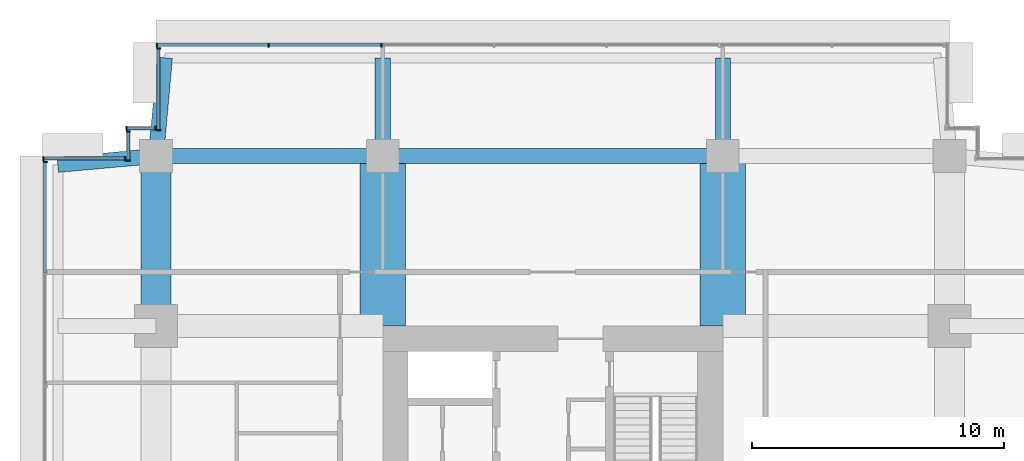
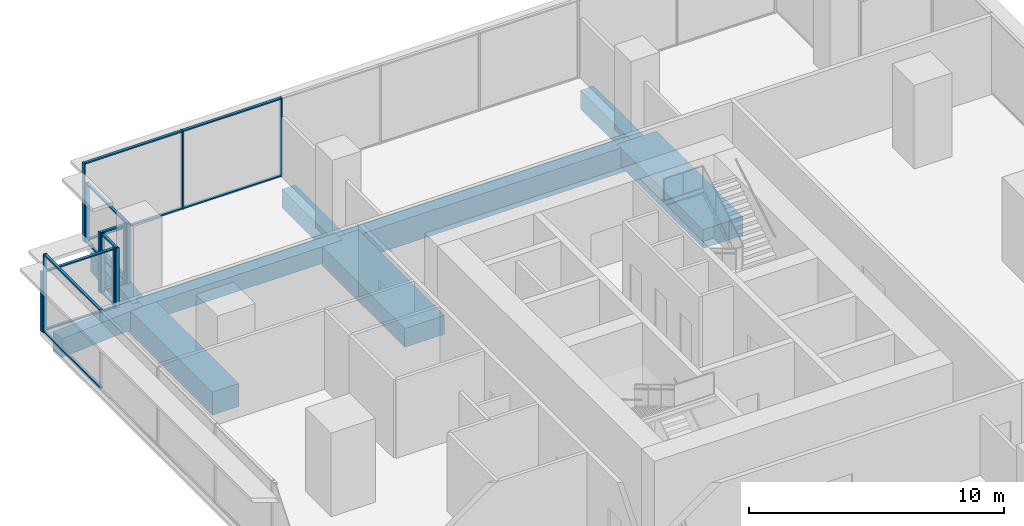
# One storey, part 7 of 13: 26 members, 9 beams, 6 elements without a shape of their own.
"""IFC4 building model written with IfcOpenShell, lengths in metres."""

from ifc_helpers import new_model, si_unit, direction, frame, origin, origin_2d, place, context, subcontext, project, spatial, rectangle, extrude, material, layer, layer_set, material_profile, profile_set, type_object, element, aggregate, save


model = new_model("IFC4")

# Units and contexts
model_context = context("Model", 3, precision=1e-05, world=origin(), true_north=direction((0.0, 1.0)))
body_context = subcontext(model_context, "Body", "Model", "MODEL_VIEW")
ifc_project = project(units=[si_unit("LENGTHUNIT", "METRE"), si_unit("AREAUNIT", "SQUARE_METRE"), si_unit("VOLUMEUNIT", "CUBIC_METRE"), si_unit("PLANEANGLEUNIT", "RADIAN"), si_unit("MASSUNIT", "GRAM", prefix="KILO")], contexts=[model_context])

# Site, building, storey
site_placement = place(None, origin())
site = spatial("IfcSite", under=ifc_project, at=site_placement, CompositionType="ELEMENT")
building_placement = place(site_placement, origin())
building = spatial("IfcBuilding", under=site, at=building_placement, Name="Namib Vertical Campus", CompositionType="ELEMENT")
storey_placement = place(building_placement, frame((0.0, 0.0, 293.0)))
storey = spatial("IfcBuildingStorey", under=building, at=storey_placement, Name="L69", CompositionType="ELEMENT", Elevation=293.0)

# Beams
ifc_material_1 = material(Name="Concrete C40/50", Category="concrete")
ifc_material_profile_1 = material_profile(ifc_material_1, rectangle(XDim=0.60009765625, YDim=0.89990234375, at=origin_2d()))
ifc_profile_set_1 = profile_set([ifc_material_profile_1], Name="Concrete C40/50")
beam_type_1 = type_object("IfcBeamType", Name="Cantilever girder RC 600x900", PredefinedType="BEAM", material=ifc_profile_set_1)
beam_1_placement = place(storey_placement, frame((4.5, 36.0, -0.699951171875), z_axis=(0.089411326146, 0.995994786511, 0.0), x_axis=(-0.995994786511, 0.089411326146, 0.0)))
element("IfcBeam", 1, at=beam_1_placement, inside=storey, type_object=beam_type_1, Name="Beam B3 L69", PredefinedType="BEAM", context=body_context, shape_type="SweptSolid", body=[
    extrude(rectangle(XDim=0.60009765625, YDim=0.89990234375, at=origin_2d()), origin(), (0.0, 0.0, 1.0), 3.91552734375),
])
for number, where, z_axis, x_axis, name in (
    (2, (13.5, 36.0, -0.699951171875), (0.0, 1.0, 0.0), (-1.0, 0.0, 0.0), "Beam B3 L69"),
    (3, (27.0, 36.0, -0.699951171875), (0.0, 1.0, 0.0), (-1.0, 0.0, 0.0), "Beam B3 L69"),
):
    element("IfcBeam", number, at=place(storey_placement, frame(where, z_axis=z_axis, x_axis=x_axis)), inside=storey, type_object=beam_type_1, Name=name, PredefinedType="BEAM", context=body_context, shape_type="SweptSolid", body=[
        extrude(rectangle(XDim=0.60009765625, YDim=0.89990234375, at=origin_2d()), origin(), (0.0, 0.0, 1.0), 3.89990234375),
    ])
beam_2_placement = place(storey_placement, frame((4.5, 36.0, -0.699951171875), z_axis=(-0.995994786511, -0.089411326146, 0.0), x_axis=(0.089411326146, -0.995994786511, 0.0)))
element("IfcBeam", 4, at=beam_2_placement, inside=storey, type_object=beam_type_1, Name="Beam B3 L69", PredefinedType="BEAM", context=body_context, shape_type="SweptSolid", body=[
    extrude(rectangle(XDim=0.60009765625, YDim=0.89990234375, at=origin_2d()), origin(), (0.0, 0.0, 1.0), 3.91552734375),
])

# Curtain wall, members
ifc_material_2 = material(Name="Black aluminium curtain wall", Category="aluminium")
ifc_layer = layer(ifc_material_2, 0.199951171875)
ifc_layer_set = layer_set([ifc_layer], Name="Sky lounge curtain wall CW-SL")
curtain_wall_type = type_object("IfcCurtainWallType", Name="Sky lounge curtain wall CW-SL", PredefinedType="USERDEFINED", material=ifc_layer_set)
curtain_wall_1_placement = place(storey_placement, origin())
curtain_wall_1 = element("IfcCurtainWall", 5, at=curtain_wall_1_placement, inside=storey, type_object=curtain_wall_type, Name="Curtain wall CW-SL L69 F11-1", ObjectType="CURTAIN WALL", PredefinedType="USERDEFINED")
ifc_material_3 = material(Name="Black anodised aluminium", Category="aluminium")
ifc_material_profile_2 = material_profile(ifc_material_3, rectangle(XDim=0.06005859375, YDim=0.159912109375, at=origin_2d()))
ifc_profile_set_2 = profile_set([ifc_material_profile_2], Name="Black anodised aluminium")
member_type_1 = type_object("IfcMemberType", Name="Curtain wall mullion 60x160", PredefinedType="MULLION", material=ifc_profile_set_2)
member_1_placement = place(storey_placement, frame((13.44287109375, 40.39990234375, 0.0), z_axis=(0.0, 0.0, 1.0), x_axis=(-1.0, 0.0, 0.0)))
member_1 = element("IfcMember", 6, at=member_1_placement, type_object=member_type_1, Name="CW-SL mullion 6", PredefinedType="MULLION", context=body_context, shape_type="SweptSolid", body=[
    extrude(rectangle(XDim=0.06005859375, YDim=0.159912109375, at=origin_2d()), origin(), (0.0, 0.0, 1.0), 3.75),
])
member_2_placement = place(storey_placement, frame((8.971435546875, 40.39990234375, 0.0), z_axis=(0.0, 0.0, 1.0), x_axis=(-1.0, 0.0, 0.0)))
member_2 = element("IfcMember", 7, at=member_2_placement, type_object=member_type_1, Name="CW-SL mullion 7", PredefinedType="MULLION", context=body_context, shape_type="SweptSolid", body=[
    extrude(rectangle(XDim=0.06005859375, YDim=0.159912109375, at=origin_2d()), origin(), (0.0, 0.0, 1.0), 3.75),
])
member_3_placement = place(storey_placement, frame((4.530029296875, 40.39990234375, 0.0), z_axis=(0.0, 0.0, 1.0), x_axis=(-1.0, 0.0, 0.0)))
member_3 = element("IfcMember", 8, at=member_3_placement, type_object=member_type_1, Name="CW-SL mullion 8", PredefinedType="MULLION", context=body_context, shape_type="SweptSolid", body=[
    extrude(rectangle(XDim=0.06005859375, YDim=0.159912109375, at=origin_2d()), origin(), (0.0, 0.0, 1.0), 3.75),
])

curtain_wall_2_placement = place(storey_placement, origin())
curtain_wall_2 = element("IfcCurtainWall", 9, at=curtain_wall_2_placement, inside=storey, type_object=curtain_wall_type, Name="Curtain wall CW-SL L69 F12-1", ObjectType="CURTAIN WALL", PredefinedType="USERDEFINED")
member_4_placement = place(storey_placement, frame((4.60009765625, 40.27001953125, 0.0), z_axis=(0.0, 0.0, 1.0), x_axis=(0.0, -1.0, 0.0)))
member_4 = element("IfcMember", 10, at=member_4_placement, type_object=member_type_1, Name="CW-SL mullion 1", PredefinedType="MULLION", context=body_context, shape_type="SweptSolid", body=[
    extrude(rectangle(XDim=0.06005859375, YDim=0.159912109375, at=origin_2d()), origin(), (0.0, 0.0, 1.0), 2.85009765625),
])
member_5_placement = place(storey_placement, frame((4.60009765625, 37.030029296875, 0.0), z_axis=(0.0, 0.0, 1.0), x_axis=(0.0, -1.0, 0.0)))
member_5 = element("IfcMember", 11, at=member_5_placement, type_object=member_type_1, Name="CW-SL mullion 2", PredefinedType="MULLION", context=body_context, shape_type="SweptSolid", body=[
    extrude(rectangle(XDim=0.06005859375, YDim=0.159912109375, at=origin_2d()), origin(), (0.0, 0.0, 1.0), 2.85009765625),
])

curtain_wall_3_placement = place(storey_placement, origin())
curtain_wall_3 = element("IfcCurtainWall", 12, at=curtain_wall_3_placement, inside=storey, type_object=curtain_wall_type, Name="Curtain wall CW-SL L69 F13-1", ObjectType="CURTAIN WALL", PredefinedType="USERDEFINED")
member_6_placement = place(storey_placement, frame((4.469970703125, 37.10009765625, 0.0), z_axis=(0.0, 0.0, 1.0), x_axis=(-1.0, 0.0, 0.0)))
member_6 = element("IfcMember", 13, at=member_6_placement, type_object=member_type_1, Name="CW-SL mullion 1", PredefinedType="MULLION", context=body_context, shape_type="SweptSolid", body=[
    extrude(rectangle(XDim=0.06005859375, YDim=0.159912109375, at=origin_2d()), origin(), (0.0, 0.0, 1.0), 2.85009765625),
])
member_7_placement = place(storey_placement, frame((3.330078125, 37.10009765625, 0.0), z_axis=(0.0, 0.0, 1.0), x_axis=(-1.0, 0.0, 0.0)))
member_7 = element("IfcMember", 14, at=member_7_placement, type_object=member_type_1, Name="CW-SL mullion 2", PredefinedType="MULLION", context=body_context, shape_type="SweptSolid", body=[
    extrude(rectangle(XDim=0.06005859375, YDim=0.159912109375, at=origin_2d()), origin(), (0.0, 0.0, 1.0), 2.85009765625),
])

curtain_wall_4_placement = place(storey_placement, origin())
curtain_wall_4 = element("IfcCurtainWall", 15, at=curtain_wall_4_placement, inside=storey, type_object=curtain_wall_type, Name="Curtain wall CW-SL L69 F14-1", ObjectType="CURTAIN WALL", PredefinedType="USERDEFINED")
member_8_placement = place(storey_placement, frame((3.39990234375, 36.969970703125, 0.0), z_axis=(0.0, 0.0, 1.0), x_axis=(0.0, -1.0, 0.0)))
member_8 = element("IfcMember", 16, at=member_8_placement, type_object=member_type_1, Name="CW-SL mullion 1", PredefinedType="MULLION", context=body_context, shape_type="SweptSolid", body=[
    extrude(rectangle(XDim=0.06005859375, YDim=0.159912109375, at=origin_2d()), origin(), (0.0, 0.0, 1.0), 2.85009765625),
])
member_9_placement = place(storey_placement, frame((3.39990234375, 35.830078125, 0.0), z_axis=(0.0, 0.0, 1.0), x_axis=(0.0, -1.0, 0.0)))
member_9 = element("IfcMember", 17, at=member_9_placement, type_object=member_type_1, Name="CW-SL mullion 2", PredefinedType="MULLION", context=body_context, shape_type="SweptSolid", body=[
    extrude(rectangle(XDim=0.06005859375, YDim=0.159912109375, at=origin_2d()), origin(), (0.0, 0.0, 1.0), 2.85009765625),
])

curtain_wall_5_placement = place(storey_placement, origin())
curtain_wall_5 = element("IfcCurtainWall", 18, at=curtain_wall_5_placement, inside=storey, type_object=curtain_wall_type, Name="Curtain wall CW-SL L69 F15-1", ObjectType="CURTAIN WALL", PredefinedType="USERDEFINED")
member_10_placement = place(storey_placement, frame((3.27001953125, 35.89990234375, 0.0), z_axis=(0.0, 0.0, 1.0), x_axis=(-1.0, 0.0, 0.0)))
member_10 = element("IfcMember", 19, at=member_10_placement, type_object=member_type_1, Name="CW-SL mullion 1", PredefinedType="MULLION", context=body_context, shape_type="SweptSolid", body=[
    extrude(rectangle(XDim=0.06005859375, YDim=0.159912109375, at=origin_2d()), origin(), (0.0, 0.0, 1.0), 2.85009765625),
])
member_11_placement = place(storey_placement, frame((0.030029296875, 35.89990234375, 0.0), z_axis=(0.0, 0.0, 1.0), x_axis=(-1.0, 0.0, 0.0)))
member_11 = element("IfcMember", 20, at=member_11_placement, type_object=member_type_1, Name="CW-SL mullion 2", PredefinedType="MULLION", context=body_context, shape_type="SweptSolid", body=[
    extrude(rectangle(XDim=0.06005859375, YDim=0.159912109375, at=origin_2d()), origin(), (0.0, 0.0, 1.0), 2.85009765625),
])

# Curtain wall, member
curtain_wall_6_placement = place(storey_placement, origin())
curtain_wall_6 = element("IfcCurtainWall", 21, at=curtain_wall_6_placement, inside=storey, type_object=curtain_wall_type, Name="Curtain wall CW-SL L69 F16-1", ObjectType="CURTAIN WALL", PredefinedType="USERDEFINED")
member_12_placement = place(storey_placement, frame((0.10009765625, 35.77001953125, 0.0), z_axis=(0.0, 0.0, 1.0), x_axis=(0.0, -1.0, 0.0)))
member_12 = element("IfcMember", 22, at=member_12_placement, type_object=member_type_1, Name="CW-SL mullion 1", PredefinedType="MULLION", context=body_context, shape_type="SweptSolid", body=[
    extrude(rectangle(XDim=0.06005859375, YDim=0.159912109375, at=origin_2d()), origin(), (0.0, 0.0, 1.0), 3.75),
])

# Member
ifc_material_4 = material(Name="Black anodised aluminium", Category="aluminium")
ifc_material_profile_3 = material_profile(ifc_material_4, rectangle(XDim=0.06005859375, YDim=0.1201171875, at=origin_2d()))
ifc_profile_set_3 = profile_set([ifc_material_profile_3], Name="Black anodised aluminium")
member_type_2 = type_object("IfcMemberType", Name="Curtain wall transom 60x120", PredefinedType="USERDEFINED", material=ifc_profile_set_3)
member_13_placement = place(storey_placement, frame((13.412841796875, 40.39990234375, 0.030029296875), z_axis=(-1.0, 0.0, 0.0), x_axis=(0.0, 0.0, 1.0)))
member_13 = element("IfcMember", 23, at=member_13_placement, type_object=member_type_2, Name="CW-SL transom 6.1", ObjectType="TRANSOM", PredefinedType="USERDEFINED", context=body_context, shape_type="SweptSolid", body=[
    extrude(rectangle(XDim=0.06005859375, YDim=0.1201171875, at=origin_2d()), origin(), (0.0, 0.0, 1.0), 4.411376953125),
])

member_14_placement = place(storey_placement, frame((13.412841796875, 40.39990234375, 3.719970703125), z_axis=(-1.0, 0.0, 0.0), x_axis=(0.0, 0.0, 1.0)))
member_14 = element("IfcMember", 24, at=member_14_placement, type_object=member_type_2, Name="CW-SL transom 6.2", ObjectType="TRANSOM", PredefinedType="USERDEFINED", context=body_context, shape_type="SweptSolid", body=[
    extrude(rectangle(XDim=0.06005859375, YDim=0.1201171875, at=origin_2d()), origin(), (0.0, 0.0, 1.0), 4.411376953125),
])

member_15_placement = place(storey_placement, frame((8.94140625, 40.39990234375, 0.030029296875), z_axis=(-1.0, 0.0, 0.0), x_axis=(0.0, 0.0, 1.0)))
member_15 = element("IfcMember", 25, at=member_15_placement, type_object=member_type_2, Name="CW-SL transom 7.1", ObjectType="TRANSOM", PredefinedType="USERDEFINED", context=body_context, shape_type="SweptSolid", body=[
    extrude(rectangle(XDim=0.06005859375, YDim=0.1201171875, at=origin_2d()), origin(), (0.0, 0.0, 1.0), 4.38134765625),
])

member_16_placement = place(storey_placement, frame((8.94140625, 40.39990234375, 3.719970703125), z_axis=(-1.0, 0.0, 0.0), x_axis=(0.0, 0.0, 1.0)))
member_16 = element("IfcMember", 26, at=member_16_placement, type_object=member_type_2, Name="CW-SL transom 7.2", ObjectType="TRANSOM", PredefinedType="USERDEFINED", context=body_context, shape_type="SweptSolid", body=[
    extrude(rectangle(XDim=0.06005859375, YDim=0.1201171875, at=origin_2d()), origin(), (0.0, 0.0, 1.0), 4.38134765625),
])

aggregate(curtain_wall_1, [member_1, member_2, member_3, member_13, member_14, member_15, member_16])

member_17_placement = place(storey_placement, frame((4.60009765625, 40.239990234375, 0.030029296875), z_axis=(0.0, -1.0, 0.0), x_axis=(0.0, 0.0, 1.0)))
member_17 = element("IfcMember", 27, at=member_17_placement, type_object=member_type_2, Name="CW-SL transom 1.1", ObjectType="TRANSOM", PredefinedType="USERDEFINED", context=body_context, shape_type="SweptSolid", body=[
    extrude(rectangle(XDim=0.06005859375, YDim=0.1201171875, at=origin_2d()), origin(), (0.0, 0.0, 1.0), 3.179931640625),
])

member_18_placement = place(storey_placement, frame((4.60009765625, 40.239990234375, 2.820068359375), z_axis=(0.0, -1.0, 0.0), x_axis=(0.0, 0.0, 1.0)))
member_18 = element("IfcMember", 28, at=member_18_placement, type_object=member_type_2, Name="CW-SL transom 1.2", ObjectType="TRANSOM", PredefinedType="USERDEFINED", context=body_context, shape_type="SweptSolid", body=[
    extrude(rectangle(XDim=0.06005859375, YDim=0.1201171875, at=origin_2d()), origin(), (0.0, 0.0, 1.0), 3.179931640625),
])

aggregate(curtain_wall_2, [member_4, member_5, member_17, member_18])

member_19_placement = place(storey_placement, frame((4.43994140625, 37.10009765625, 0.030029296875), z_axis=(-1.0, 0.0, 0.0), x_axis=(0.0, 0.0, 1.0)))
member_19 = element("IfcMember", 29, at=member_19_placement, type_object=member_type_2, Name="CW-SL transom 1.1", ObjectType="TRANSOM", PredefinedType="USERDEFINED", context=body_context, shape_type="SweptSolid", body=[
    extrude(rectangle(XDim=0.06005859375, YDim=0.1201171875, at=origin_2d()), origin(), (0.0, 0.0, 1.0), 1.079833984375),
])

member_20_placement = place(storey_placement, frame((4.43994140625, 37.10009765625, 2.820068359375), z_axis=(-1.0, 0.0, 0.0), x_axis=(0.0, 0.0, 1.0)))
member_20 = element("IfcMember", 30, at=member_20_placement, type_object=member_type_2, Name="CW-SL transom 1.2", ObjectType="TRANSOM", PredefinedType="USERDEFINED", context=body_context, shape_type="SweptSolid", body=[
    extrude(rectangle(XDim=0.06005859375, YDim=0.1201171875, at=origin_2d()), origin(), (0.0, 0.0, 1.0), 1.079833984375),
])

aggregate(curtain_wall_3, [member_6, member_7, member_19, member_20])

member_21_placement = place(storey_placement, frame((3.39990234375, 36.93994140625, 0.030029296875), z_axis=(0.0, -1.0, 0.0), x_axis=(0.0, 0.0, 1.0)))
member_21 = element("IfcMember", 31, at=member_21_placement, type_object=member_type_2, Name="CW-SL transom 1.1", ObjectType="TRANSOM", PredefinedType="USERDEFINED", context=body_context, shape_type="SweptSolid", body=[
    extrude(rectangle(XDim=0.06005859375, YDim=0.1201171875, at=origin_2d()), origin(), (0.0, 0.0, 1.0), 1.079833984375),
])

member_22_placement = place(storey_placement, frame((3.39990234375, 36.93994140625, 2.820068359375), z_axis=(0.0, -1.0, 0.0), x_axis=(0.0, 0.0, 1.0)))
member_22 = element("IfcMember", 32, at=member_22_placement, type_object=member_type_2, Name="CW-SL transom 1.2", ObjectType="TRANSOM", PredefinedType="USERDEFINED", context=body_context, shape_type="SweptSolid", body=[
    extrude(rectangle(XDim=0.06005859375, YDim=0.1201171875, at=origin_2d()), origin(), (0.0, 0.0, 1.0), 1.079833984375),
])

aggregate(curtain_wall_4, [member_8, member_9, member_21, member_22])

member_23_placement = place(storey_placement, frame((3.239990234375, 35.89990234375, 0.030029296875), z_axis=(-1.0, 0.0, 0.0), x_axis=(0.0, 0.0, 1.0)))
member_23 = element("IfcMember", 33, at=member_23_placement, type_object=member_type_2, Name="CW-SL transom 1.1", ObjectType="TRANSOM", PredefinedType="USERDEFINED", context=body_context, shape_type="SweptSolid", body=[
    extrude(rectangle(XDim=0.06005859375, YDim=0.1201171875, at=origin_2d()), origin(), (0.0, 0.0, 1.0), 3.179931640625),
])

member_24_placement = place(storey_placement, frame((3.239990234375, 35.89990234375, 2.820068359375), z_axis=(-1.0, 0.0, 0.0), x_axis=(0.0, 0.0, 1.0)))
member_24 = element("IfcMember", 34, at=member_24_placement, type_object=member_type_2, Name="CW-SL transom 1.2", ObjectType="TRANSOM", PredefinedType="USERDEFINED", context=body_context, shape_type="SweptSolid", body=[
    extrude(rectangle(XDim=0.06005859375, YDim=0.1201171875, at=origin_2d()), origin(), (0.0, 0.0, 1.0), 3.179931640625),
])

aggregate(curtain_wall_5, [member_10, member_11, member_23, member_24])

member_25_placement = place(storey_placement, frame((0.10009765625, 35.739990234375, 0.030029296875), z_axis=(0.0, -1.0, 0.0), x_axis=(0.0, 0.0, 1.0)))
member_25 = element("IfcMember", 35, at=member_25_placement, type_object=member_type_2, Name="CW-SL transom 1.1", ObjectType="TRANSOM", PredefinedType="USERDEFINED", context=body_context, shape_type="SweptSolid", body=[
    extrude(rectangle(XDim=0.06005859375, YDim=0.1201171875, at=origin_2d()), origin(), (0.0, 0.0, 1.0), 4.38134765625),
])

member_26_placement = place(storey_placement, frame((0.10009765625, 35.739990234375, 3.719970703125), z_axis=(0.0, -1.0, 0.0), x_axis=(0.0, 0.0, 1.0)))
member_26 = element("IfcMember", 36, at=member_26_placement, type_object=member_type_2, Name="CW-SL transom 1.2", ObjectType="TRANSOM", PredefinedType="USERDEFINED", context=body_context, shape_type="SweptSolid", body=[
    extrude(rectangle(XDim=0.06005859375, YDim=0.1201171875, at=origin_2d()), origin(), (0.0, 0.0, 1.0), 4.38134765625),
])

aggregate(curtain_wall_6, [member_12, member_25, member_26])

# Beams
ifc_material_5 = material(Name="Concrete C40/50", Category="concrete")
ifc_material_profile_4 = material_profile(ifc_material_5, rectangle(XDim=1.199951171875, YDim=1.10009765625, at=origin_2d()))
ifc_profile_set_4 = profile_set([ifc_material_profile_4], Name="Concrete C40/50")
beam_type_2 = type_object("IfcBeamType", Name="Face ring beam RC 1200x1100", PredefinedType="BEAM", material=ifc_profile_set_4)
beam_3_placement = place(storey_placement, frame((4.5, 29.25, -0.800048828125), z_axis=(0.0, 1.0, 0.0), x_axis=(-1.0, 0.0, 0.0)))
element("IfcBeam", 37, at=beam_3_placement, inside=storey, type_object=beam_type_2, Name="Beam B11 L69", PredefinedType="BEAM", context=body_context, shape_type="SweptSolid", body=[
    extrude(rectangle(XDim=1.199951171875, YDim=1.10009765625, at=origin_2d()), origin(), (0.0, 0.0, 1.0), 6.75),
])
ifc_material_6 = material(Name="Concrete C40/50", Category="concrete")
ifc_material_profile_5 = material_profile(ifc_material_6, rectangle(XDim=0.60009765625, YDim=1.199951171875, at=origin_2d()))
ifc_profile_set_5 = profile_set([ifc_material_profile_5], Name="Concrete C40/50")
beam_type_3 = type_object("IfcBeamType", Name="Long-span ring beam RC 600x1200", PredefinedType="BEAM", material=ifc_profile_set_5)
beam_4_placement = place(storey_placement, frame((13.5, 36.0, -0.85009765625), z_axis=(1.0, 0.0, 0.0), x_axis=(0.0, 1.0, 0.0)))
element("IfcBeam", 38, at=beam_4_placement, inside=storey, type_object=beam_type_3, Name="Beam B9 L69", PredefinedType="BEAM", context=body_context, shape_type="SweptSolid", body=[
    extrude(rectangle(XDim=0.60009765625, YDim=1.199951171875, at=origin_2d()), origin(), (0.0, 0.0, 1.0), 13.5),
])
ifc_material_7 = material(Name="Concrete C40/50", Category="concrete")
ifc_material_profile_6 = material_profile(ifc_material_7, rectangle(XDim=1.800048828125, YDim=0.89990234375, at=origin_2d()))
ifc_profile_set_6 = profile_set([ifc_material_profile_6], Name="Concrete C40/50")
beam_type_4 = type_object("IfcBeamType", Name="Outrigger line girder RC 1800x900", PredefinedType="BEAM", material=ifc_profile_set_6)
for number, where, z_axis, x_axis, name in (
    (39, (13.5, 36.0, -0.699951171875), (0.0, -1.0, 0.0), (1.0, 0.0, 0.0), "Beam B12 L69"),
    (40, (27.0, 36.0, -0.699951171875), (0.0, -1.0, 0.0), (1.0, 0.0, 0.0), "Beam B12 L69"),
):
    element("IfcBeam", number, at=place(storey_placement, frame(where, z_axis=z_axis, x_axis=x_axis)), inside=storey, type_object=beam_type_4, Name=name, PredefinedType="BEAM", context=body_context, shape_type="SweptSolid", body=[
        extrude(rectangle(XDim=1.800048828125, YDim=0.89990234375, at=origin_2d()), origin(), (0.0, 0.0, 1.0), 6.75),
    ])
ifc_material_8 = material(Name="Concrete C40/50", Category="concrete")
ifc_material_profile_7 = material_profile(ifc_material_8, rectangle(XDim=0.60009765625, YDim=0.800048828125, at=origin_2d()))
ifc_profile_set_7 = profile_set([ifc_material_profile_7], Name="Concrete C40/50")
beam_type_5 = type_object("IfcBeamType", Name="Ring beam RC 600x800", PredefinedType="BEAM", material=ifc_profile_set_7)
beam_5_placement = place(storey_placement, frame((4.5, 36.0, -0.64990234375), z_axis=(1.0, 0.0, 0.0), x_axis=(0.0, 1.0, 0.0)))
element("IfcBeam", 41, at=beam_5_placement, inside=storey, type_object=beam_type_5, Name="Beam B1 L69", PredefinedType="BEAM", context=body_context, shape_type="SweptSolid", body=[
    extrude(rectangle(XDim=0.60009765625, YDim=0.800048828125, at=origin_2d()), origin(), (0.0, 0.0, 1.0), 9.0),
])

save(model, "model.ifc")
